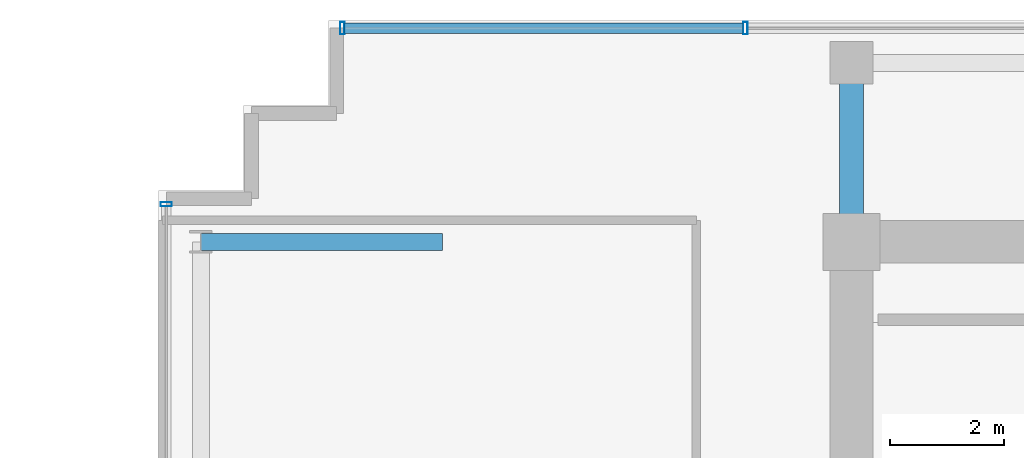
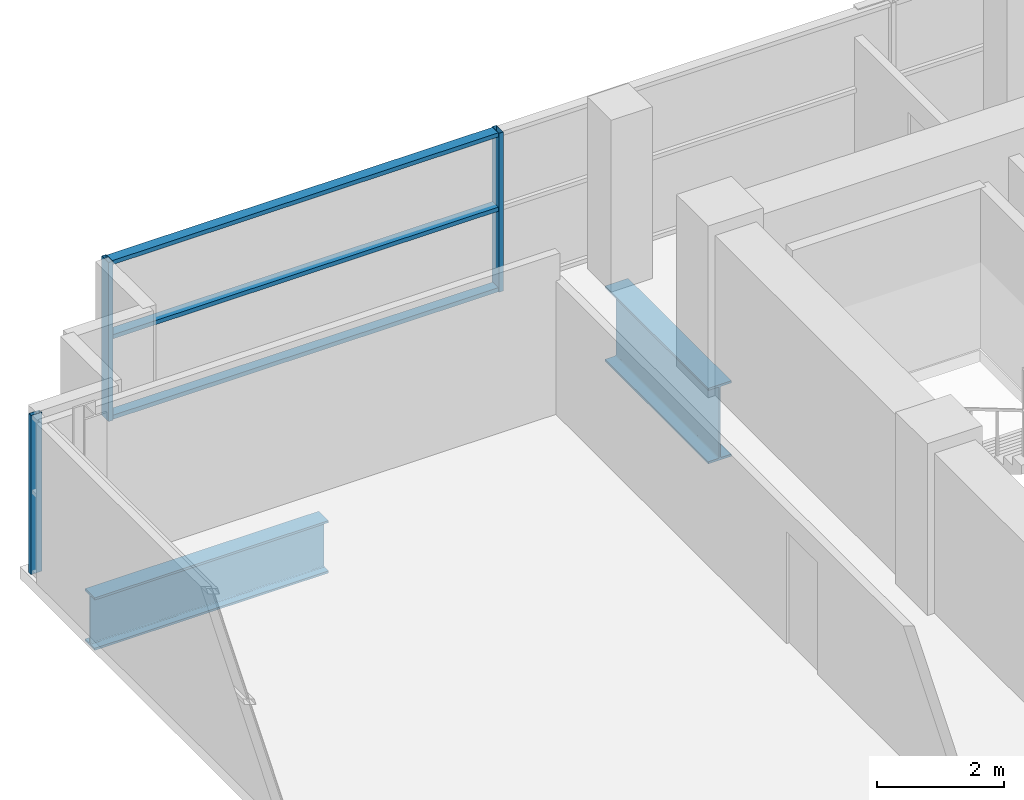
# One storey, part 10 of 23: 6 members, 2 beams, 2 elements without a shape of their own.
"""IFC4 building model written with IfcOpenShell, lengths in metres."""

from ifc_helpers import new_model, si_unit, direction, frame, origin, origin_2d, place, context, subcontext, project, spatial, hollow_rectangle, i_section, extrude, source, transform, mapped, material, layer, layer_set, material_profile, profile_set, type_object, element, aggregate, save


model = new_model("IFC4")

# Units and contexts
model_context = context("Model", 3, precision=1e-05, world=origin(), true_north=direction((0.0, 1.0)))
body_context = subcontext(model_context, "Body", "Model", "MODEL_VIEW")
ifc_project = project(units=[si_unit("LENGTHUNIT", "METRE"), si_unit("AREAUNIT", "SQUARE_METRE"), si_unit("VOLUMEUNIT", "CUBIC_METRE"), si_unit("PLANEANGLEUNIT", "RADIAN"), si_unit("MASSUNIT", "GRAM", prefix="KILO")], contexts=[model_context])

# Site, building, storey
site_placement = place(None, origin())
site = spatial("IfcSite", under=ifc_project, at=site_placement, CompositionType="ELEMENT")
building_placement = place(site_placement, origin())
building = spatial("IfcBuilding", under=site, at=building_placement, Name="Zarnakvel Exchange Tower", CompositionType="ELEMENT")
storey_placement = place(building_placement, frame((0.0, 0.0, 146.199951171875)))
storey = spatial("IfcBuildingStorey", under=building, at=storey_placement, Name="L40", CompositionType="ELEMENT", Elevation=146.199951171875)

# Beams
ifc_material_1 = material(Name="Steel S460", Category="steel")
ifc_material_profile_1 = material_profile(ifc_material_1, i_section(OverallWidth=0.419921875, OverallDepth=1.449951171875, WebThickness=0.02392578125, FlangeThickness=0.0400390625, FilletRadius=0.030029296875, at=origin_2d()))
ifc_profile_set_1 = profile_set([ifc_material_profile_1], Name="Steel S460")
beam_type_1 = type_object("IfcBeamType", Name="TG-01", PredefinedType="BEAM", material=ifc_profile_set_1)
beam_1_placement = place(storey_placement, frame((-14.39990234375, 13.5, -0.949951171875), z_axis=(0.0, 1.0, 0.0), x_axis=(-1.0, 0.0, 0.0)))
element("IfcBeam", 1, at=beam_1_placement, inside=storey, type_object=beam_type_1, Name="L40 Setback N-S Transfer Girder TN-4", PredefinedType="BEAM", context=body_context, shape_type="SweptSolid", body=[
    extrude(i_section(OverallWidth=0.419921875, OverallDepth=1.449951171875, WebThickness=0.02392578125, FlangeThickness=0.0400390625, FilletRadius=0.030029296875, at=origin_2d()), origin(), (0.0, 0.0, 1.0), 3.25),
])
ifc_material_profile_2 = material_profile(ifc_material_1, i_section(OverallWidth=0.302001953125, OverallDepth=1.008056640625, WebThickness=0.02099609375, FlangeThickness=0.0400390625, FilletRadius=0.030029296875, at=origin_2d()))
ifc_profile_set_2 = profile_set([ifc_material_profile_2], Name="Steel S460")
beam_type_2 = type_object("IfcBeamType", Name="TG-05", PredefinedType="BEAM", material=ifc_profile_set_2)
beam_2_placement = place(storey_placement, frame((-25.85009765625, 13.5, -0.72900390625), z_axis=(1.0, 0.0, 0.0), x_axis=(0.0, 1.0, 0.0)))
element("IfcBeam", 2, at=beam_2_placement, inside=storey, type_object=beam_type_2, Name="L40 Block-Shift Continuous Transfer TW-F", PredefinedType="BEAM", context=body_context, shape_type="SweptSolid", body=[
    extrude(i_section(OverallWidth=0.302001953125, OverallDepth=1.008056640625, WebThickness=0.02099609375, FlangeThickness=0.0400390625, FilletRadius=0.030029296875, at=origin_2d()), origin(), (0.0, 0.0, 1.0), 4.25),
])

# Curtain wall, member
ifc_material_2 = material(Name="Architectural Bronze Anodised Aluminium", Category="aluminium")
ifc_layer_1 = layer(ifc_material_2, 0.199951171875)
ifc_layer_set_1 = layer_set([ifc_layer_1], Name="Architectural Bronze Anodised Aluminium")
curtain_wall_type_1 = type_object("IfcCurtainWallType", Name="CW-04", PredefinedType="NOTDEFINED", material=ifc_layer_set_1)
curtain_wall_1_placement = place(storey_placement, origin())
curtain_wall_1 = element("IfcCurtainWall", 3, at=curtain_wall_1_placement, inside=storey, type_object=curtain_wall_type_1, Name="L40 Curtain Wall CW-L40-WN (CW-04)", PredefinedType="NOTDEFINED")
ifc_material_profile_3 = material_profile(ifc_material_2, hollow_rectangle(XDim=0.199951171875, YDim=0.074951171875, WallThickness=0.0048828125, at=origin_2d()))
ifc_profile_set_3 = profile_set([ifc_material_profile_3], Name="Architectural Bronze Anodised Aluminium")
member_type_1 = type_object("IfcMemberType", Name="CWM-04", PredefinedType="MULLION", material=ifc_profile_set_3)
shared_shape_1 = source(origin(), body_context, "Body", "SweptSolid", [
    extrude(hollow_rectangle(XDim=0.199951171875, YDim=0.074951171875, WallThickness=0.0048828125, at=origin_2d()), origin(), (0.0, 0.0, 1.0), 3.054931640625),
])
member_1_placement = place(storey_placement, frame((-26.4599609375, 14.16259765625, 0.0), z_axis=(0.0, 0.0, 1.0), x_axis=(-1.0, 0.0, 0.0)))
member_1 = element("IfcMember", 4, at=member_1_placement, type_object=member_type_1, Name="CW-04 mullion 3", PredefinedType="MULLION", context=body_context, shape_type="MappedRepresentation", body=[
    mapped(shared_shape_1, transform((0.0, 0.0, 0.0), x_axis=(1.0, 0.0, 0.0), y_axis=(0.0, 1.0, 0.0), z_axis=(0.0, 0.0, 1.0), scale=1.0)),
])
aggregate(curtain_wall_1, [member_1])

# Curtain wall, members
ifc_layer_2 = layer(ifc_material_2, 0.219970703125)
ifc_layer_set_2 = layer_set([ifc_layer_2], Name="Architectural Bronze Anodised Aluminium")
curtain_wall_type_2 = type_object("IfcCurtainWallType", Name="CW-03", PredefinedType="NOTDEFINED", material=ifc_layer_set_2)
curtain_wall_2_placement = place(storey_placement, origin())
curtain_wall_2 = element("IfcCurtainWall", 5, at=curtain_wall_2_placement, inside=storey, type_object=curtain_wall_type_2, Name="L40 Curtain Wall CW-L40-N1 (CW-03)", PredefinedType="NOTDEFINED")
ifc_material_profile_4 = material_profile(ifc_material_2, hollow_rectangle(XDim=0.219970703125, YDim=0.080078125, WallThickness=0.0048828125, at=origin_2d()))
ifc_profile_set_4 = profile_set([ifc_material_profile_4], Name="Architectural Bronze Anodised Aluminium")
member_type_2 = type_object("IfcMemberType", Name="CWM-03", PredefinedType="MULLION", material=ifc_profile_set_4)
shared_shape_2 = source(origin(), body_context, "Body", "SweptSolid", [
    extrude(hollow_rectangle(XDim=0.219970703125, YDim=0.080078125, WallThickness=0.0048828125, at=origin_2d()), origin(), (0.0, 0.0, 1.0), 3.054931640625),
])
member_2_placement = place(storey_placement, frame((-23.360107421875, 17.260009765625, 0.0), z_axis=(0.0, 0.0, 1.0), x_axis=(0.0, 1.0, 0.0)))
member_2 = element("IfcMember", 6, at=member_2_placement, type_object=member_type_2, Name="CW-03 mullion 1", PredefinedType="MULLION", context=body_context, shape_type="MappedRepresentation", body=[
    mapped(shared_shape_2, transform((0.0, 0.0, 0.0), x_axis=(1.0, 0.0, 0.0), y_axis=(0.0, 1.0, 0.0), z_axis=(0.0, 0.0, 1.0), scale=1.0)),
])
member_3_placement = place(storey_placement, frame((-16.2666015625, 17.260009765625, 0.0), z_axis=(0.0, 0.0, 1.0), x_axis=(0.0, 1.0, 0.0)))
member_3 = element("IfcMember", 7, at=member_3_placement, type_object=member_type_2, Name="CW-03 mullion 2", PredefinedType="MULLION", context=body_context, shape_type="MappedRepresentation", body=[
    mapped(shared_shape_2, transform((0.0, 0.0, 0.0), x_axis=(1.0, 0.0, 0.0), y_axis=(0.0, 1.0, 0.0), z_axis=(0.0, 0.0, 1.0), scale=1.0)),
])
ifc_material_profile_5 = material_profile(ifc_material_2, hollow_rectangle(XDim=0.179931640625, YDim=0.080078125, WallThickness=0.00390625, at=origin_2d()))
ifc_profile_set_5 = profile_set([ifc_material_profile_5], Name="Architectural Bronze Anodised Aluminium")
member_type_3 = type_object("IfcMemberType", Name="CWT-03", PredefinedType="USERDEFINED", material=ifc_profile_set_5)
shared_shape_3 = source(origin(), body_context, "Body", "SweptSolid", [
    extrude(hollow_rectangle(XDim=0.179931640625, YDim=0.080078125, WallThickness=0.00390625, at=origin_2d()), origin(), (0.0, 0.0, 1.0), 7.013427734375),
])
member_4_placement = place(storey_placement, frame((-23.320068359375, 17.260009765625, 0.0400390625), z_axis=(1.0, 0.0, 0.0), x_axis=(0.0, 1.0, 0.0)))
member_4 = element("IfcMember", 8, at=member_4_placement, type_object=member_type_3, Name="CW-03 transom 1.1", ObjectType="TRANSOM", PredefinedType="USERDEFINED", context=body_context, shape_type="MappedRepresentation", body=[
    mapped(shared_shape_3, transform((0.0, 0.0, 0.0), x_axis=(1.0, 0.0, 0.0), y_axis=(0.0, 1.0, 0.0), z_axis=(0.0, 0.0, 1.0), scale=1.0)),
])
member_5_placement = place(storey_placement, frame((-23.320068359375, 17.260009765625, 1.588623046875), z_axis=(1.0, 0.0, 0.0), x_axis=(0.0, 1.0, 0.0)))
member_5 = element("IfcMember", 9, at=member_5_placement, type_object=member_type_3, Name="CW-03 transom 1.2", ObjectType="TRANSOM", PredefinedType="USERDEFINED", context=body_context, shape_type="MappedRepresentation", body=[
    mapped(shared_shape_3, transform((0.0, 0.0, 0.0), x_axis=(1.0, 0.0, 0.0), y_axis=(0.0, 1.0, 0.0), z_axis=(0.0, 0.0, 1.0), scale=1.0)),
])
member_6_placement = place(storey_placement, frame((-23.320068359375, 17.260009765625, 3.01513671875), z_axis=(1.0, 0.0, 0.0), x_axis=(0.0, 1.0, 0.0)))
member_6 = element("IfcMember", 10, at=member_6_placement, type_object=member_type_3, Name="CW-03 transom 1.3", ObjectType="TRANSOM", PredefinedType="USERDEFINED", context=body_context, shape_type="MappedRepresentation", body=[
    mapped(shared_shape_3, transform((0.0, 0.0, 0.0), x_axis=(1.0, 0.0, 0.0), y_axis=(0.0, 1.0, 0.0), z_axis=(0.0, 0.0, 1.0), scale=1.0)),
])
aggregate(curtain_wall_2, [member_2, member_3, member_4, member_5, member_6])

save(model, "model.ifc")
